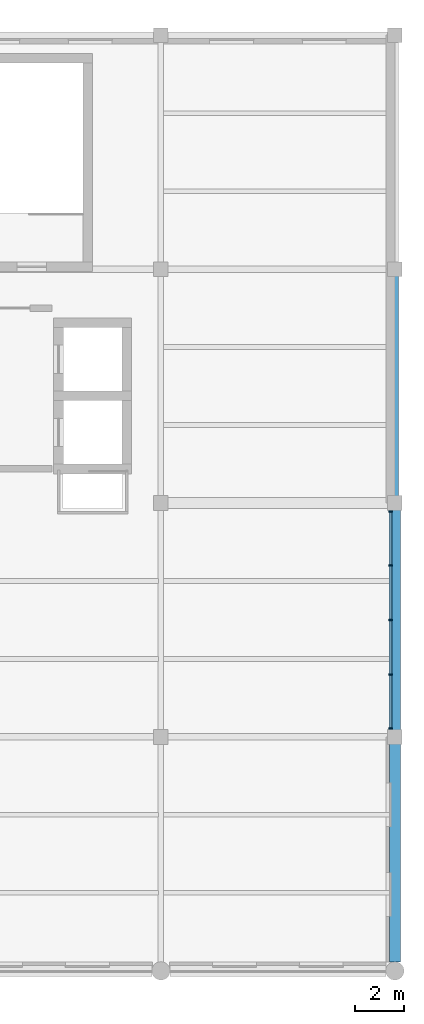
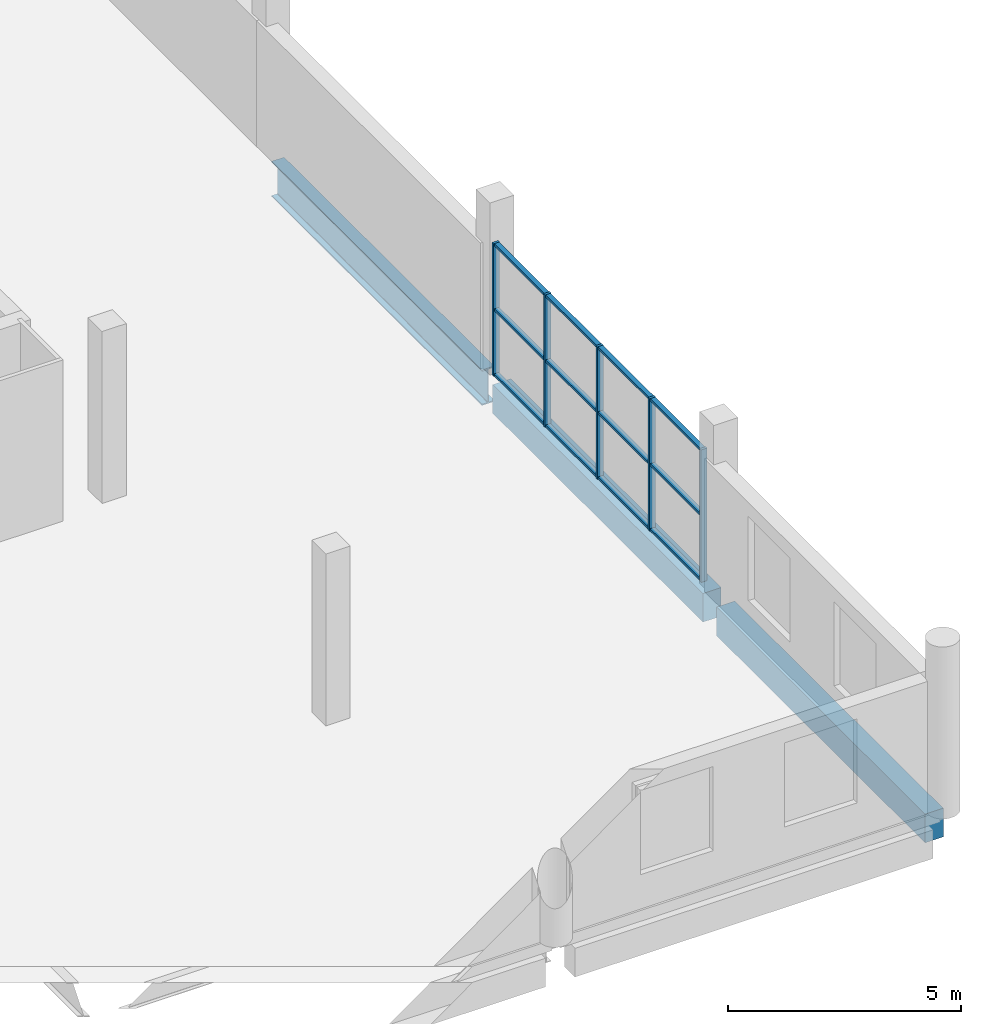
# One storey, part 29 of 92: 17 members, 3 beams, 1 element without a shape of its own.
"""IFC4 building model written with IfcOpenShell, lengths in metres."""

from ifc_helpers import new_model, si_unit, direction, frame, origin, origin_2d, place, context, subcontext, project, spatial, rectangle, i_section, extrude, material, layer, layer_set, material_profile, profile_set, type_object, element, aggregate, save


model = new_model("IFC4")

# Units and contexts
model_context = context("Model", 3, precision=1e-05, world=origin(), true_north=direction((0.0, 1.0)))
body_context = subcontext(model_context, "Body", "Model", "MODEL_VIEW")
ifc_project = project(units=[si_unit("LENGTHUNIT", "METRE"), si_unit("AREAUNIT", "SQUARE_METRE"), si_unit("VOLUMEUNIT", "CUBIC_METRE"), si_unit("PLANEANGLEUNIT", "RADIAN"), si_unit("MASSUNIT", "GRAM", prefix="KILO")], contexts=[model_context])

# Site, building, storey
site_placement = place(None, origin())
site = spatial("IfcSite", under=ifc_project, at=site_placement, CompositionType="ELEMENT")
building_placement = place(site_placement, origin())
building = spatial("IfcBuilding", under=site, at=building_placement, Name="Caelomonte Colonnade Arena", CompositionType="ELEMENT")
storey_placement = place(building_placement, frame((0.0, 0.0, 9.60009765625)))
storey = spatial("IfcBuildingStorey", under=building, at=storey_placement, Name="L02", CompositionType="ELEMENT", Elevation=9.60009765625)

# Curtain wall, members
ifc_material_1 = material(Name="Bronze anodised aluminium and low-E glazing", Category="aluminium")
ifc_layer = layer(ifc_material_1, 0.179931640625)
ifc_layer_set = layer_set([ifc_layer], Name="Bronze anodised aluminium and low-E glazing")
curtain_wall_type = type_object("IfcCurtainWallType", Name="ENV-CW-CW-L02-96-35", PredefinedType="USERDEFINED", material=ifc_layer_set)
curtain_wall_placement = place(storey_placement, origin())
curtain_wall = element("IfcCurtainWall", 1, at=curtain_wall_placement, inside=storey, type_object=curtain_wall_type, Name="L02 unitized curtain wall CW-L02-1918-0144", ObjectType="UNITIZED CURTAIN WALL", PredefinedType="USERDEFINED")
ifc_material_2 = material(Name="Bronze anodised aluminium AA6063-T6", Category="aluminium")
ifc_material_profile_1 = material_profile(ifc_material_2, rectangle(XDim=0.06494140625, YDim=0.14990234375, at=origin_2d()), Name="CWM-65X150")
ifc_profile_set_1 = profile_set([ifc_material_profile_1], Name="Bronze anodised aluminium AA6063-T6")
member_type_1 = type_object("IfcMemberType", Name="ENV-CW-MULL2", PredefinedType="MULLION", material=ifc_profile_set_1)
member_1_placement = place(storey_placement, frame((191.820068359375, 9.952392578125, 0.0), z_axis=(0.0, 0.0, 1.0), x_axis=(0.0, 1.0, 0.0)))
member_1 = element("IfcMember", 2, at=member_1_placement, type_object=member_type_1, Name="CW-L02-96-35 mullion 1", PredefinedType="MULLION", context=body_context, shape_type="SweptSolid", body=[
    extrude(rectangle(XDim=0.06494140625, YDim=0.14990234375, at=origin_2d()), origin(), (0.0, 0.0, 1.0), 3.469970703125),
])
member_2_placement = place(storey_placement, frame((191.820068359375, 12.159912109375, 0.0), z_axis=(0.0, 0.0, 1.0), x_axis=(0.0, 1.0, 0.0)))
member_2 = element("IfcMember", 3, at=member_2_placement, type_object=member_type_1, Name="CW-L02-96-35 mullion 2", PredefinedType="MULLION", context=body_context, shape_type="SweptSolid", body=[
    extrude(rectangle(XDim=0.06494140625, YDim=0.14990234375, at=origin_2d()), origin(), (0.0, 0.0, 1.0), 3.469970703125),
])
member_3_placement = place(storey_placement, frame((191.820068359375, 14.39990234375, 0.0), z_axis=(0.0, 0.0, 1.0), x_axis=(0.0, 1.0, 0.0)))
member_3 = element("IfcMember", 4, at=member_3_placement, type_object=member_type_1, Name="CW-L02-96-35 mullion 3", PredefinedType="MULLION", context=body_context, shape_type="SweptSolid", body=[
    extrude(rectangle(XDim=0.06494140625, YDim=0.14990234375, at=origin_2d()), origin(), (0.0, 0.0, 1.0), 3.469970703125),
])
member_4_placement = place(storey_placement, frame((191.820068359375, 16.639892578125, 0.0), z_axis=(0.0, 0.0, 1.0), x_axis=(0.0, 1.0, 0.0)))
member_4 = element("IfcMember", 5, at=member_4_placement, type_object=member_type_1, Name="CW-L02-96-35 mullion 4", PredefinedType="MULLION", context=body_context, shape_type="SweptSolid", body=[
    extrude(rectangle(XDim=0.06494140625, YDim=0.14990234375, at=origin_2d()), origin(), (0.0, 0.0, 1.0), 3.469970703125),
])
member_5_placement = place(storey_placement, frame((191.820068359375, 18.847412109375, 0.0), z_axis=(0.0, 0.0, 1.0), x_axis=(0.0, 1.0, 0.0)))
member_5 = element("IfcMember", 6, at=member_5_placement, type_object=member_type_1, Name="CW-L02-96-35 mullion 5", PredefinedType="MULLION", context=body_context, shape_type="SweptSolid", body=[
    extrude(rectangle(XDim=0.06494140625, YDim=0.14990234375, at=origin_2d()), origin(), (0.0, 0.0, 1.0), 3.469970703125),
])
ifc_material_profile_2 = material_profile(ifc_material_2, rectangle(XDim=0.06494140625, YDim=0.1201171875, at=origin_2d()), Name="CWT-65X120")
ifc_profile_set_2 = profile_set([ifc_material_profile_2], Name="Bronze anodised aluminium AA6063-T6")
member_type_2 = type_object("IfcMemberType", Name="ENV-CW-TRAN2", PredefinedType="USERDEFINED", material=ifc_profile_set_2)
member_6_placement = place(storey_placement, frame((191.820068359375, 9.985107421875, 0.032470703125), z_axis=(0.0, 1.0, 0.0), x_axis=(0.0, 0.0, 1.0)))
member_6 = element("IfcMember", 7, at=member_6_placement, type_object=member_type_2, Name="CW-L02-96-35 transom 1.1", ObjectType="TRANSOM", PredefinedType="USERDEFINED", context=body_context, shape_type="SweptSolid", body=[
    extrude(rectangle(XDim=0.06494140625, YDim=0.1201171875, at=origin_2d()), origin(), (0.0, 0.0, 1.0), 2.142333984375),
])
member_7_placement = place(storey_placement, frame((191.820068359375, 9.985107421875, 1.73486328125), z_axis=(0.0, 1.0, 0.0), x_axis=(0.0, 0.0, 1.0)))
member_7 = element("IfcMember", 8, at=member_7_placement, type_object=member_type_2, Name="CW-L02-96-35 transom 1.2", ObjectType="TRANSOM", PredefinedType="USERDEFINED", context=body_context, shape_type="SweptSolid", body=[
    extrude(rectangle(XDim=0.06494140625, YDim=0.1201171875, at=origin_2d()), origin(), (0.0, 0.0, 1.0), 2.142333984375),
])
member_8_placement = place(storey_placement, frame((191.820068359375, 9.985107421875, 3.4375), z_axis=(0.0, 1.0, 0.0), x_axis=(0.0, 0.0, 1.0)))
member_8 = element("IfcMember", 9, at=member_8_placement, type_object=member_type_2, Name="CW-L02-96-35 transom 1.3", ObjectType="TRANSOM", PredefinedType="USERDEFINED", context=body_context, shape_type="SweptSolid", body=[
    extrude(rectangle(XDim=0.06494140625, YDim=0.1201171875, at=origin_2d()), origin(), (0.0, 0.0, 1.0), 2.142333984375),
])
member_9_placement = place(storey_placement, frame((191.820068359375, 12.1923828125, 0.032470703125), z_axis=(0.0, 1.0, 0.0), x_axis=(0.0, 0.0, 1.0)))
member_9 = element("IfcMember", 10, at=member_9_placement, type_object=member_type_2, Name="CW-L02-96-35 transom 2.1", ObjectType="TRANSOM", PredefinedType="USERDEFINED", context=body_context, shape_type="SweptSolid", body=[
    extrude(rectangle(XDim=0.06494140625, YDim=0.1201171875, at=origin_2d()), origin(), (0.0, 0.0, 1.0), 2.175048828125),
])
member_10_placement = place(storey_placement, frame((191.820068359375, 12.1923828125, 1.73486328125), z_axis=(0.0, 1.0, 0.0), x_axis=(0.0, 0.0, 1.0)))
member_10 = element("IfcMember", 11, at=member_10_placement, type_object=member_type_2, Name="CW-L02-96-35 transom 2.2", ObjectType="TRANSOM", PredefinedType="USERDEFINED", context=body_context, shape_type="SweptSolid", body=[
    extrude(rectangle(XDim=0.06494140625, YDim=0.1201171875, at=origin_2d()), origin(), (0.0, 0.0, 1.0), 2.175048828125),
])
member_11_placement = place(storey_placement, frame((191.820068359375, 12.1923828125, 3.4375), z_axis=(0.0, 1.0, 0.0), x_axis=(0.0, 0.0, 1.0)))
member_11 = element("IfcMember", 12, at=member_11_placement, type_object=member_type_2, Name="CW-L02-96-35 transom 2.3", ObjectType="TRANSOM", PredefinedType="USERDEFINED", context=body_context, shape_type="SweptSolid", body=[
    extrude(rectangle(XDim=0.06494140625, YDim=0.1201171875, at=origin_2d()), origin(), (0.0, 0.0, 1.0), 2.175048828125),
])
member_12_placement = place(storey_placement, frame((191.820068359375, 14.4326171875, 0.032470703125), z_axis=(0.0, 1.0, 0.0), x_axis=(0.0, 0.0, 1.0)))
member_12 = element("IfcMember", 13, at=member_12_placement, type_object=member_type_2, Name="CW-L02-96-35 transom 3.1", ObjectType="TRANSOM", PredefinedType="USERDEFINED", context=body_context, shape_type="SweptSolid", body=[
    extrude(rectangle(XDim=0.06494140625, YDim=0.1201171875, at=origin_2d()), origin(), (0.0, 0.0, 1.0), 2.1748046875),
])
member_13_placement = place(storey_placement, frame((191.820068359375, 14.4326171875, 1.73486328125), z_axis=(0.0, 1.0, 0.0), x_axis=(0.0, 0.0, 1.0)))
member_13 = element("IfcMember", 14, at=member_13_placement, type_object=member_type_2, Name="CW-L02-96-35 transom 3.2", ObjectType="TRANSOM", PredefinedType="USERDEFINED", context=body_context, shape_type="SweptSolid", body=[
    extrude(rectangle(XDim=0.06494140625, YDim=0.1201171875, at=origin_2d()), origin(), (0.0, 0.0, 1.0), 2.1748046875),
])
member_14_placement = place(storey_placement, frame((191.820068359375, 14.4326171875, 3.4375), z_axis=(0.0, 1.0, 0.0), x_axis=(0.0, 0.0, 1.0)))
member_14 = element("IfcMember", 15, at=member_14_placement, type_object=member_type_2, Name="CW-L02-96-35 transom 3.3", ObjectType="TRANSOM", PredefinedType="USERDEFINED", context=body_context, shape_type="SweptSolid", body=[
    extrude(rectangle(XDim=0.06494140625, YDim=0.1201171875, at=origin_2d()), origin(), (0.0, 0.0, 1.0), 2.1748046875),
])
member_15_placement = place(storey_placement, frame((191.820068359375, 16.672607421875, 0.032470703125), z_axis=(0.0, 1.0, 0.0), x_axis=(0.0, 0.0, 1.0)))
member_15 = element("IfcMember", 16, at=member_15_placement, type_object=member_type_2, Name="CW-L02-96-35 transom 4.1", ObjectType="TRANSOM", PredefinedType="USERDEFINED", context=body_context, shape_type="SweptSolid", body=[
    extrude(rectangle(XDim=0.06494140625, YDim=0.1201171875, at=origin_2d()), origin(), (0.0, 0.0, 1.0), 2.142333984375),
])
member_16_placement = place(storey_placement, frame((191.820068359375, 16.672607421875, 1.73486328125), z_axis=(0.0, 1.0, 0.0), x_axis=(0.0, 0.0, 1.0)))
member_16 = element("IfcMember", 17, at=member_16_placement, type_object=member_type_2, Name="CW-L02-96-35 transom 4.2", ObjectType="TRANSOM", PredefinedType="USERDEFINED", context=body_context, shape_type="SweptSolid", body=[
    extrude(rectangle(XDim=0.06494140625, YDim=0.1201171875, at=origin_2d()), origin(), (0.0, 0.0, 1.0), 2.142333984375),
])
member_17_placement = place(storey_placement, frame((191.820068359375, 16.672607421875, 3.4375), z_axis=(0.0, 1.0, 0.0), x_axis=(0.0, 0.0, 1.0)))
member_17 = element("IfcMember", 18, at=member_17_placement, type_object=member_type_2, Name="CW-L02-96-35 transom 4.3", ObjectType="TRANSOM", PredefinedType="USERDEFINED", context=body_context, shape_type="SweptSolid", body=[
    extrude(rectangle(XDim=0.06494140625, YDim=0.1201171875, at=origin_2d()), origin(), (0.0, 0.0, 1.0), 2.142333984375),
])
aggregate(curtain_wall, [member_1, member_2, member_3, member_4, member_5, member_6, member_7, member_8, member_9, member_10, member_11, member_12, member_13, member_14, member_15, member_16, member_17])

# Beams
ifc_material_3 = material(Name="Wide-flange steel ASTM A992 Grade 50", Category="steel")
ifc_material_profile_3 = material_profile(ifc_material_3, i_section(OverallWidth=0.307861328125, OverallDepth=0.927001953125, WebThickness=0.019287109375, FlangeThickness=0.031982421875, FilletRadius=0.020263671875, at=origin_2d()), Name="W36X194")
ifc_profile_set_3 = profile_set([ifc_material_profile_3], Name="Wide-flange steel ASTM A992 Grade 50")
beam_type_1 = type_object("IfcBeamType", Name="STR-BM-EAVES2", PredefinedType="SPANDREL", material=ifc_profile_set_3)
beam_1_placement = place(storey_placement, frame((192.0, 19.491943359375, -0.74365234375), z_axis=(0.0, 1.0, 0.0), x_axis=(-1.0, 0.0, 0.0)))
element("IfcBeam", 19, at=beam_1_placement, inside=storey, type_object=beam_type_1, Name="L02 girder BMY-L02-1920-0192", PredefinedType="SPANDREL", context=body_context, shape_type="SweptSolid", body=[
    extrude(i_section(OverallWidth=0.307861328125, OverallDepth=0.927001953125, WebThickness=0.019287109375, FlangeThickness=0.031982421875, FilletRadius=0.020263671875, at=origin_2d()), origin(), (0.0, 0.0, 1.0), 9.01611328125),
])
ifc_material_4 = material(Name="Concrete C40/50", Category="concrete")
ifc_material_profile_4 = material_profile(ifc_material_4, rectangle(XDim=0.449951171875, YDim=0.75, at=origin_2d()), Name="RC450X750")
ifc_profile_set_4 = profile_set([ifc_material_profile_4], Name="Concrete C40/50")
beam_type_2 = type_object("IfcBeamType", Name="STR-BM-SPAN24", PredefinedType="SPANDREL", material=ifc_profile_set_4)
beam_2_placement = place(storey_placement, frame((192.0, 0.366943359375, -0.655029296875), z_axis=(0.0, 1.0, 0.0), x_axis=(-1.0, 0.0, 0.0)))
element("IfcBeam", 20, at=beam_2_placement, inside=storey, type_object=beam_type_2, Name="L02 girder BMY-L02-1920-0000", PredefinedType="SPANDREL", context=body_context, shape_type="SweptSolid", body=[
    extrude(rectangle(XDim=0.449951171875, YDim=0.75, at=origin_2d()), origin(), (0.0, 0.0, 1.0), 8.941162109375),
])
beam_3_placement = place(storey_placement, frame((192.0, 9.89208984375, -0.655029296875), z_axis=(0.0, 1.0, 0.0), x_axis=(-1.0, 0.0, 0.0)))
element("IfcBeam", 21, at=beam_3_placement, inside=storey, type_object=beam_type_2, Name="L02 girder BMY-L02-1920-0096", PredefinedType="SPANDREL", context=body_context, shape_type="SweptSolid", body=[
    extrude(rectangle(XDim=0.449951171875, YDim=0.75, at=origin_2d()), origin(), (0.0, 0.0, 1.0), 9.015869140625),
])

save(model, "model.ifc")
